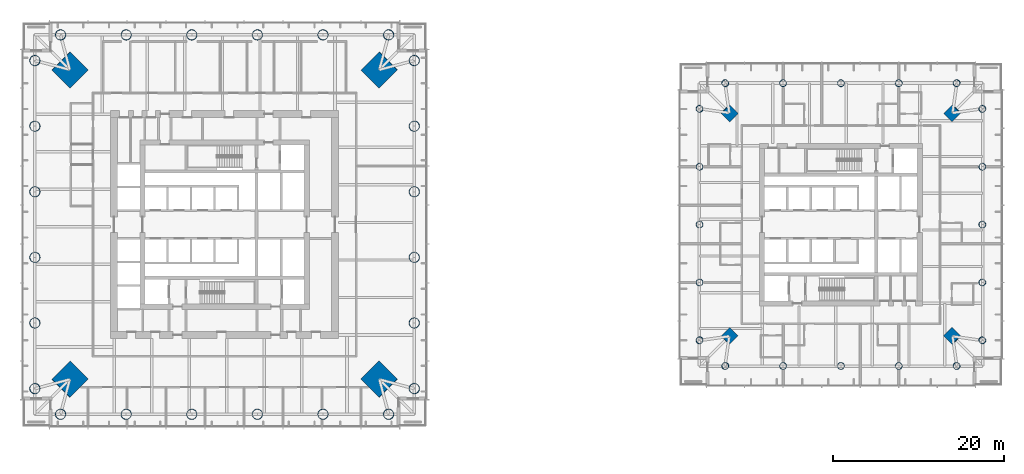
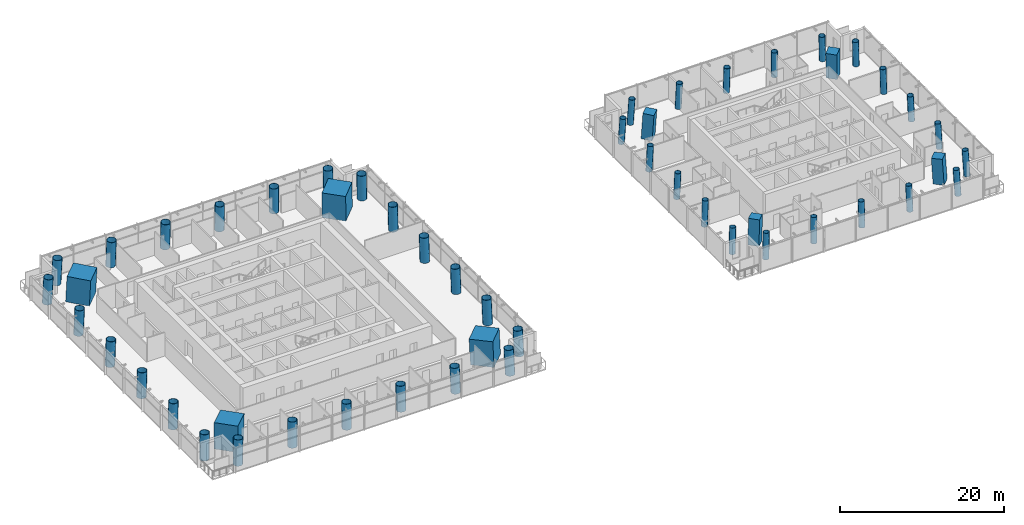
# One storey, part 1 of 24: 52 columns.
"""IFC4 building model written with IfcOpenShell, lengths in metres."""

from ifc_helpers import new_model, si_unit, direction, frame, origin, origin_2d, place, context, subcontext, project, spatial, rectangle, hollow_circle, extrude, material, material_profile, profile_set, type_object, element, save


model = new_model("IFC4")

# Units and contexts
model_context = context("Model", 3, precision=1e-05, world=origin(), true_north=direction((0.0, 1.0)))
body_context = subcontext(model_context, "Body", "Model", "MODEL_VIEW")
ifc_project = project(units=[si_unit("LENGTHUNIT", "METRE"), si_unit("AREAUNIT", "SQUARE_METRE"), si_unit("VOLUMEUNIT", "CUBIC_METRE"), si_unit("PLANEANGLEUNIT", "RADIAN"), si_unit("MASSUNIT", "GRAM", prefix="KILO")], contexts=[model_context])

# Site, building, storey
site_placement = place(None, origin())
site = spatial("IfcSite", under=ifc_project, at=site_placement, CompositionType="ELEMENT")
building_placement = place(site_placement, origin())
building = spatial("IfcBuilding", under=site, at=building_placement, Name="Ostroluk Exchange", CompositionType="ELEMENT")
storey_placement = place(building_placement, frame((0.0, 0.0, 78.0)))
storey = spatial("IfcBuildingStorey", under=building, at=storey_placement, Name="L19", CompositionType="ELEMENT", Elevation=78.0)

# Columns
ifc_material_1 = material(Name="Concrete C50/60", Category="concrete")
ifc_material_profile_1 = material_profile(ifc_material_1, rectangle(XDim=1.39990234375, YDim=1.39990234375, at=origin_2d()), Name="RC 1400x1400")
ifc_profile_set_1 = profile_set([ifc_material_profile_1], Name="Concrete C50/60")
column_type_1 = type_object("IfcColumnType", Name="Mega column RC 1400x1400", PredefinedType="COLUMN", material=ifc_profile_set_1)
for number, where, z_axis, x_axis, name in (
    (1, (130.043212890625, 59.043212890625, 0.0), (-0.043029647111, -0.043029647111, 0.998146732169), (0.707106781187, -0.707106781187, 0.0), "T2 mega column NE"),
    (2, (103.956787109375, 59.043212890625, 0.0), (0.043029647111, -0.043029647111, 0.998146732169), (0.707106781187, 0.707106781187, 0.0), "T2 mega column NW"),
    (3, (103.956787109375, 32.956787109375, 0.0), (0.043029647111, 0.043029647111, 0.998146732169), (-0.707106781187, 0.707106781187, 0.0), "T2 mega column SW"),
    (4, (130.043212890625, 32.956787109375, 0.0), (-0.043029647111, 0.043029647111, 0.998146732169), (-0.707106781187, -0.707106781187, 0.0), "T2 mega column SE"),
):
    element("IfcColumn", number, at=place(storey_placement, frame(where, z_axis=z_axis, x_axis=x_axis)), inside=storey, type_object=column_type_1, Name=name, PredefinedType="COLUMN", context=body_context, shape_type="SweptSolid", body=[
        extrude(rectangle(XDim=1.39990234375, YDim=1.39990234375, at=origin_2d()), origin(), (0.0, 0.0, 1.0), 3.80712890625),
    ])
ifc_material_2 = material(Name="Concrete C50/60", Category="concrete")
ifc_material_profile_2 = material_profile(ifc_material_2, rectangle(XDim=3.0, YDim=3.0, at=origin_2d()), Name="RC 3000x3000")
ifc_profile_set_2 = profile_set([ifc_material_profile_2], Name="Concrete C50/60")
column_type_2 = type_object("IfcColumnType", Name="Mega column RC 3000x3000", PredefinedType="COLUMN", material=ifc_profile_set_2)
for number, where, z_axis, x_axis, name in (
    (5, (63.07861328125, 64.07861328125, 0.0), (-0.031962158256, -0.031962158256, 0.998977898093), (0.707106781187, -0.707106781187, 0.0), "T1 mega column NE"),
    (6, (26.92138671875, 64.07861328125, 0.0), (0.031962158256, -0.031962158256, 0.998977898093), (0.707106781187, 0.707106781187, 0.0), "T1 mega column NW"),
    (7, (26.92138671875, 27.92138671875, 0.0), (0.031962158256, 0.031962158256, 0.998977898093), (-0.707106781187, 0.707106781187, 0.0), "T1 mega column SW"),
    (8, (63.07861328125, 27.92138671875, 0.0), (-0.031962158256, 0.031962158256, 0.998977898093), (-0.707106781187, -0.707106781187, 0.0), "T1 mega column SE"),
):
    element("IfcColumn", number, at=place(storey_placement, frame(where, z_axis=z_axis, x_axis=x_axis)), inside=storey, type_object=column_type_2, Name=name, PredefinedType="COLUMN", context=body_context, shape_type="SweptSolid", body=[
        extrude(rectangle(XDim=3.0, YDim=3.0, at=origin_2d()), origin(), (0.0, 0.0, 1.0), 3.803955078125),
    ])
ifc_material_3 = material(Name="Steel S460", Category="steel")
ifc_material_profile_3 = material_profile(ifc_material_3, hollow_circle(Radius=0.609619140625, WallThickness=0.0400390625, at=origin_2d()), Name="CHS 1219x40")
ifc_profile_set_3 = profile_set([ifc_material_profile_3], Name="Steel S460")
column_type_3 = type_object("IfcColumnType", Name="Perimeter column CHS 1219x40", PredefinedType="COLUMN", material=ifc_profile_set_3)
for number, where, z_axis, x_axis, name in (
    (9, (67.178466796875, 26.821533203125, 0.0), (-0.031898107953, 0.031898107953, 0.998981992539), (-0.707106781187, -0.707106781187, 0.0), "T1 east face column E0"),
    (10, (67.178466796875, 65.178466796875, 0.0), (-0.031898107953, -0.031898107953, 0.998981992539), (0.707106781187, -0.707106781187, 0.0), "T1 east face column E1"),
):
    element("IfcColumn", number, at=place(storey_placement, frame(where, z_axis=z_axis, x_axis=x_axis)), inside=storey, type_object=column_type_3, Name=name, PredefinedType="COLUMN", context=body_context, shape_type="SweptSolid", body=[
        extrude(hollow_circle(Radius=0.609619140625, WallThickness=0.0400390625, at=origin_2d()), origin(), (0.0, 0.0, 1.0), 3.803955078125),
    ])
column_1_placement = place(storey_placement, frame((67.178466796875, 34.492919921875, 0.0), z_axis=(-0.031908506785, 0.019132263625, 0.999307662176), x_axis=(-0.514241961696, -0.857645150882, 0.0)))
element("IfcColumn", 11, at=column_1_placement, inside=storey, type_object=column_type_3, Name="T1 east face column I1", PredefinedType="COLUMN", context=body_context, shape_type="SweptSolid", body=[
    extrude(hollow_circle(Radius=0.609619140625, WallThickness=0.0400390625, at=origin_2d()), origin(), (0.0, 0.0, 1.0), 3.802734375),
])
for number, where, z_axis, x_axis, name in (
    (12, (67.178466796875, 42.164306640625, 0.0), (-0.031913703469, 0.006357055621, 0.999470411455), (-0.195357113251, -0.980732174603, 0.0), "T1 east face column I2"),
    (13, (67.178466796875, 49.835693359375, 0.0), (-0.031913703469, -0.006357055621, 0.999470411455), (0.195357113251, -0.980732174603, 0.0), "T1 east face column I3"),
):
    element("IfcColumn", number, at=place(storey_placement, frame(where, z_axis=z_axis, x_axis=x_axis)), inside=storey, type_object=column_type_3, Name=name, PredefinedType="COLUMN", context=body_context, shape_type="SweptSolid", body=[
        extrude(hollow_circle(Radius=0.609619140625, WallThickness=0.0400390625, at=origin_2d()), origin(), (0.0, 0.0, 1.0), 3.802001953125),
    ])
column_2_placement = place(storey_placement, frame((67.178466796875, 57.507080078125, 0.0), z_axis=(-0.031908506785, -0.019132263625, 0.999307662176), x_axis=(0.514241961696, -0.857645150882, 0.0)))
element("IfcColumn", 14, at=column_2_placement, inside=storey, type_object=column_type_3, Name="T1 east face column I4", PredefinedType="COLUMN", context=body_context, shape_type="SweptSolid", body=[
    extrude(hollow_circle(Radius=0.609619140625, WallThickness=0.0400390625, at=origin_2d()), origin(), (0.0, 0.0, 1.0), 3.802734375),
])
for number, where, z_axis, x_axis, name in (
    (15, (64.178466796875, 68.178466796875, 0.0), (-0.031898107953, -0.031898107953, 0.998981992539), (0.707106781187, -0.707106781187, 0.0), "T1 north face column E0"),
    (16, (25.821533203125, 68.178466796875, 0.0), (0.031898107953, -0.031898107953, 0.998981992539), (0.707106781187, 0.707106781187, 0.0), "T1 north face column E1"),
):
    element("IfcColumn", number, at=place(storey_placement, frame(where, z_axis=z_axis, x_axis=x_axis)), inside=storey, type_object=column_type_3, Name=name, PredefinedType="COLUMN", context=body_context, shape_type="SweptSolid", body=[
        extrude(hollow_circle(Radius=0.609619140625, WallThickness=0.0400390625, at=origin_2d()), origin(), (0.0, 0.0, 1.0), 3.803955078125),
    ])
column_3_placement = place(storey_placement, frame((56.507080078125, 68.178466796875, 0.0), z_axis=(-0.019132263625, -0.031908506785, 0.999307662176), x_axis=(0.857645150882, -0.514241961696, 0.0)))
element("IfcColumn", 17, at=column_3_placement, inside=storey, type_object=column_type_3, Name="T1 north face column I1", PredefinedType="COLUMN", context=body_context, shape_type="SweptSolid", body=[
    extrude(hollow_circle(Radius=0.609619140625, WallThickness=0.0400390625, at=origin_2d()), origin(), (0.0, 0.0, 1.0), 3.802734375),
])
for number, where, z_axis, x_axis, name in (
    (18, (48.835693359375, 68.178466796875, 0.0), (-0.006357055621, -0.031913703469, 0.999470411455), (0.980732174603, -0.195357113251, 0.0), "T1 north face column I2"),
    (19, (41.164306640625, 68.178466796875, 0.0), (0.006357055621, -0.031913703469, 0.999470411455), (0.980732174603, 0.195357113251, 0.0), "T1 north face column I3"),
):
    element("IfcColumn", number, at=place(storey_placement, frame(where, z_axis=z_axis, x_axis=x_axis)), inside=storey, type_object=column_type_3, Name=name, PredefinedType="COLUMN", context=body_context, shape_type="SweptSolid", body=[
        extrude(hollow_circle(Radius=0.609619140625, WallThickness=0.0400390625, at=origin_2d()), origin(), (0.0, 0.0, 1.0), 3.802001953125),
    ])
column_4_placement = place(storey_placement, frame((33.492919921875, 68.178466796875, 0.0), z_axis=(0.019132263625, -0.031908506785, 0.999307662176), x_axis=(0.857645150882, 0.514241961696, 0.0)))
element("IfcColumn", 20, at=column_4_placement, inside=storey, type_object=column_type_3, Name="T1 north face column I4", PredefinedType="COLUMN", context=body_context, shape_type="SweptSolid", body=[
    extrude(hollow_circle(Radius=0.609619140625, WallThickness=0.0400390625, at=origin_2d()), origin(), (0.0, 0.0, 1.0), 3.802734375),
])
for number, where, z_axis, x_axis, name in (
    (21, (22.821533203125, 65.178466796875, 0.0), (0.031898107953, -0.031898107953, 0.998981992539), (0.707106781187, 0.707106781187, 0.0), "T1 west face column E0"),
    (22, (22.821533203125, 26.821533203125, 0.0), (0.031898107953, 0.031898107953, 0.998981992539), (-0.707106781187, 0.707106781187, 0.0), "T1 west face column E1"),
):
    element("IfcColumn", number, at=place(storey_placement, frame(where, z_axis=z_axis, x_axis=x_axis)), inside=storey, type_object=column_type_3, Name=name, PredefinedType="COLUMN", context=body_context, shape_type="SweptSolid", body=[
        extrude(hollow_circle(Radius=0.609619140625, WallThickness=0.0400390625, at=origin_2d()), origin(), (0.0, 0.0, 1.0), 3.803955078125),
    ])
column_5_placement = place(storey_placement, frame((22.821533203125, 57.507080078125, 0.0), z_axis=(0.031908506785, -0.019132263625, 0.999307662176), x_axis=(0.514241961696, 0.857645150882, 0.0)))
element("IfcColumn", 23, at=column_5_placement, inside=storey, type_object=column_type_3, Name="T1 west face column I1", PredefinedType="COLUMN", context=body_context, shape_type="SweptSolid", body=[
    extrude(hollow_circle(Radius=0.609619140625, WallThickness=0.0400390625, at=origin_2d()), origin(), (0.0, 0.0, 1.0), 3.802734375),
])
for number, where, z_axis, x_axis, name in (
    (24, (22.821533203125, 49.835693359375, 0.0), (0.031913703469, -0.006357055621, 0.999470411455), (0.195357113251, 0.980732174603, 0.0), "T1 west face column I2"),
    (25, (22.821533203125, 42.164306640625, 0.0), (0.031913703469, 0.006357055621, 0.999470411455), (-0.195357113251, 0.980732174603, 0.0), "T1 west face column I3"),
):
    element("IfcColumn", number, at=place(storey_placement, frame(where, z_axis=z_axis, x_axis=x_axis)), inside=storey, type_object=column_type_3, Name=name, PredefinedType="COLUMN", context=body_context, shape_type="SweptSolid", body=[
        extrude(hollow_circle(Radius=0.609619140625, WallThickness=0.0400390625, at=origin_2d()), origin(), (0.0, 0.0, 1.0), 3.802001953125),
    ])
column_6_placement = place(storey_placement, frame((22.821533203125, 34.492919921875, 0.0), z_axis=(0.031908506785, 0.019132263625, 0.999307662176), x_axis=(-0.514241961696, 0.857645150882, 0.0)))
element("IfcColumn", 26, at=column_6_placement, inside=storey, type_object=column_type_3, Name="T1 west face column I4", PredefinedType="COLUMN", context=body_context, shape_type="SweptSolid", body=[
    extrude(hollow_circle(Radius=0.609619140625, WallThickness=0.0400390625, at=origin_2d()), origin(), (0.0, 0.0, 1.0), 3.802734375),
])
for number, where, z_axis, x_axis, name in (
    (27, (25.821533203125, 23.821533203125, 0.0), (0.031898107953, 0.031898107953, 0.998981992539), (-0.707106781187, 0.707106781187, 0.0), "T1 south face column E0"),
    (28, (64.178466796875, 23.821533203125, 0.0), (-0.031898107953, 0.031898107953, 0.998981992539), (-0.707106781187, -0.707106781187, 0.0), "T1 south face column E1"),
):
    element("IfcColumn", number, at=place(storey_placement, frame(where, z_axis=z_axis, x_axis=x_axis)), inside=storey, type_object=column_type_3, Name=name, PredefinedType="COLUMN", context=body_context, shape_type="SweptSolid", body=[
        extrude(hollow_circle(Radius=0.609619140625, WallThickness=0.0400390625, at=origin_2d()), origin(), (0.0, 0.0, 1.0), 3.803955078125),
    ])
column_7_placement = place(storey_placement, frame((33.492919921875, 23.821533203125, 0.0), z_axis=(0.019132263625, 0.031908506785, 0.999307662176), x_axis=(-0.857645150882, 0.514241961696, 0.0)))
element("IfcColumn", 29, at=column_7_placement, inside=storey, type_object=column_type_3, Name="T1 south face column I1", PredefinedType="COLUMN", context=body_context, shape_type="SweptSolid", body=[
    extrude(hollow_circle(Radius=0.609619140625, WallThickness=0.0400390625, at=origin_2d()), origin(), (0.0, 0.0, 1.0), 3.802734375),
])
for number, where, z_axis, x_axis, name in (
    (30, (41.164306640625, 23.821533203125, 0.0), (0.006357055621, 0.031913703469, 0.999470411455), (-0.980732174603, 0.195357113251, 0.0), "T1 south face column I2"),
    (31, (48.835693359375, 23.821533203125, 0.0), (-0.006357055621, 0.031913703469, 0.999470411455), (-0.980732174603, -0.195357113251, 0.0), "T1 south face column I3"),
):
    element("IfcColumn", number, at=place(storey_placement, frame(where, z_axis=z_axis, x_axis=x_axis)), inside=storey, type_object=column_type_3, Name=name, PredefinedType="COLUMN", context=body_context, shape_type="SweptSolid", body=[
        extrude(hollow_circle(Radius=0.609619140625, WallThickness=0.0400390625, at=origin_2d()), origin(), (0.0, 0.0, 1.0), 3.802001953125),
    ])
column_8_placement = place(storey_placement, frame((56.507080078125, 23.821533203125, 0.0), z_axis=(-0.019132263625, 0.031908506785, 0.999307662176), x_axis=(-0.857645150882, -0.514241961696, 0.0)))
element("IfcColumn", 32, at=column_8_placement, inside=storey, type_object=column_type_3, Name="T1 south face column I4", PredefinedType="COLUMN", context=body_context, shape_type="SweptSolid", body=[
    extrude(hollow_circle(Radius=0.609619140625, WallThickness=0.0400390625, at=origin_2d()), origin(), (0.0, 0.0, 1.0), 3.802734375),
])
ifc_material_4 = material(Name="Steel S460", Category="steel")
ifc_material_profile_4 = material_profile(ifc_material_4, hollow_circle(Radius=0.406494140625, WallThickness=0.030029296875, at=origin_2d()), Name="CHS 813x30")
ifc_profile_set_4 = profile_set([ifc_material_profile_4], Name="Steel S460")
column_type_4 = type_object("IfcColumnType", Name="Perimeter column CHS 813x30", PredefinedType="COLUMN", material=ifc_profile_set_4)
for number, where, z_axis, x_axis, name in (
    (33, (133.543212890625, 32.456787109375, 0.0), (-0.043029647111, 0.043029647111, 0.998146732169), (-0.707106781187, -0.707106781187, 0.0), "T2 east face column E0"),
    (34, (133.543212890625, 59.543212890625, 0.0), (-0.043029647111, -0.043029647111, 0.998146732169), (0.707106781187, -0.707106781187, 0.0), "T2 east face column E1"),
):
    element("IfcColumn", number, at=place(storey_placement, frame(where, z_axis=z_axis, x_axis=x_axis)), inside=storey, type_object=column_type_4, Name=name, PredefinedType="COLUMN", context=body_context, shape_type="SweptSolid", body=[
        extrude(hollow_circle(Radius=0.406494140625, WallThickness=0.030029296875, at=origin_2d()), origin(), (0.0, 0.0, 1.0), 3.80712890625),
    ])
column_9_placement = place(storey_placement, frame((133.543212890625, 39.228515625, 0.0), z_axis=(-0.043059584825, 0.021497706284, 0.998841188968), x_axis=(-0.446680166538, -0.894693706707, 0.0)))
element("IfcColumn", 35, at=column_9_placement, inside=storey, type_object=column_type_4, Name="T2 east face column I1", PredefinedType="COLUMN", context=body_context, shape_type="SweptSolid", body=[
    extrude(hollow_circle(Radius=0.406494140625, WallThickness=0.030029296875, at=origin_2d()), origin(), (0.0, 0.0, 1.0), 3.804443359375),
])
column_10_placement = place(storey_placement, frame((133.543212890625, 46.0, 0.0), z_axis=(-0.043069538298, 0.0, 0.999072076915), x_axis=(0.0, -1.0, 0.0)))
element("IfcColumn", 36, at=column_10_placement, inside=storey, type_object=column_type_4, Name="T2 east face column I2", PredefinedType="COLUMN", context=body_context, shape_type="SweptSolid", body=[
    extrude(hollow_circle(Radius=0.406494140625, WallThickness=0.030029296875, at=origin_2d()), origin(), (0.0, 0.0, 1.0), 3.803466796875),
])
column_11_placement = place(storey_placement, frame((133.543212890625, 52.771484375, 0.0), z_axis=(-0.043059584825, -0.021497706284, 0.998841188968), x_axis=(0.446680166538, -0.894693706707, 0.0)))
element("IfcColumn", 37, at=column_11_placement, inside=storey, type_object=column_type_4, Name="T2 east face column I3", PredefinedType="COLUMN", context=body_context, shape_type="SweptSolid", body=[
    extrude(hollow_circle(Radius=0.406494140625, WallThickness=0.030029296875, at=origin_2d()), origin(), (0.0, 0.0, 1.0), 3.804443359375),
])
for number, where, z_axis, x_axis, name in (
    (38, (130.543212890625, 62.543212890625, 0.0), (-0.043029647111, -0.043029647111, 0.998146732169), (0.707106781187, -0.707106781187, 0.0), "T2 north face column E0"),
    (39, (103.456787109375, 62.543212890625, 0.0), (0.043029647111, -0.043029647111, 0.998146732169), (0.707106781187, 0.707106781187, 0.0), "T2 north face column E1"),
):
    element("IfcColumn", number, at=place(storey_placement, frame(where, z_axis=z_axis, x_axis=x_axis)), inside=storey, type_object=column_type_4, Name=name, PredefinedType="COLUMN", context=body_context, shape_type="SweptSolid", body=[
        extrude(hollow_circle(Radius=0.406494140625, WallThickness=0.030029296875, at=origin_2d()), origin(), (0.0, 0.0, 1.0), 3.80712890625),
    ])
column_12_placement = place(storey_placement, frame((123.771484375, 62.543212890625, 0.0), z_axis=(-0.021497706284, -0.043059584825, 0.998841188968), x_axis=(0.894693706707, -0.446680166538, 0.0)))
element("IfcColumn", 40, at=column_12_placement, inside=storey, type_object=column_type_4, Name="T2 north face column I1", PredefinedType="COLUMN", context=body_context, shape_type="SweptSolid", body=[
    extrude(hollow_circle(Radius=0.406494140625, WallThickness=0.030029296875, at=origin_2d()), origin(), (0.0, 0.0, 1.0), 3.804443359375),
])
column_13_placement = place(storey_placement, frame((117.0, 62.543212890625, 0.0), z_axis=(0.0, -0.043069538298, 0.999072076915), x_axis=(1.0, 0.0, 0.0)))
element("IfcColumn", 41, at=column_13_placement, inside=storey, type_object=column_type_4, Name="T2 north face column I2", PredefinedType="COLUMN", context=body_context, shape_type="SweptSolid", body=[
    extrude(hollow_circle(Radius=0.406494140625, WallThickness=0.030029296875, at=origin_2d()), origin(), (0.0, 0.0, 1.0), 3.803466796875),
])
column_14_placement = place(storey_placement, frame((110.228515625, 62.543212890625, 0.0), z_axis=(0.021497706284, -0.043059584825, 0.998841188968), x_axis=(0.894693706707, 0.446680166538, 0.0)))
element("IfcColumn", 42, at=column_14_placement, inside=storey, type_object=column_type_4, Name="T2 north face column I3", PredefinedType="COLUMN", context=body_context, shape_type="SweptSolid", body=[
    extrude(hollow_circle(Radius=0.406494140625, WallThickness=0.030029296875, at=origin_2d()), origin(), (0.0, 0.0, 1.0), 3.804443359375),
])
for number, where, z_axis, x_axis, name in (
    (43, (100.456787109375, 59.543212890625, 0.0), (0.043029647111, -0.043029647111, 0.998146732169), (0.707106781187, 0.707106781187, 0.0), "T2 west face column E0"),
    (44, (100.456787109375, 32.456787109375, 0.0), (0.043029647111, 0.043029647111, 0.998146732169), (-0.707106781187, 0.707106781187, 0.0), "T2 west face column E1"),
):
    element("IfcColumn", number, at=place(storey_placement, frame(where, z_axis=z_axis, x_axis=x_axis)), inside=storey, type_object=column_type_4, Name=name, PredefinedType="COLUMN", context=body_context, shape_type="SweptSolid", body=[
        extrude(hollow_circle(Radius=0.406494140625, WallThickness=0.030029296875, at=origin_2d()), origin(), (0.0, 0.0, 1.0), 3.80712890625),
    ])
column_15_placement = place(storey_placement, frame((100.456787109375, 52.771484375, 0.0), z_axis=(0.043059584825, -0.021497706284, 0.998841188968), x_axis=(0.446680166538, 0.894693706707, 0.0)))
element("IfcColumn", 45, at=column_15_placement, inside=storey, type_object=column_type_4, Name="T2 west face column I1", PredefinedType="COLUMN", context=body_context, shape_type="SweptSolid", body=[
    extrude(hollow_circle(Radius=0.406494140625, WallThickness=0.030029296875, at=origin_2d()), origin(), (0.0, 0.0, 1.0), 3.804443359375),
])
column_16_placement = place(storey_placement, frame((100.456787109375, 46.0, 0.0), z_axis=(0.043069538298, 0.0, 0.999072076915), x_axis=(0.0, 1.0, 0.0)))
element("IfcColumn", 46, at=column_16_placement, inside=storey, type_object=column_type_4, Name="T2 west face column I2", PredefinedType="COLUMN", context=body_context, shape_type="SweptSolid", body=[
    extrude(hollow_circle(Radius=0.406494140625, WallThickness=0.030029296875, at=origin_2d()), origin(), (0.0, 0.0, 1.0), 3.803466796875),
])
column_17_placement = place(storey_placement, frame((100.456787109375, 39.228515625, 0.0), z_axis=(0.043059584825, 0.021497706284, 0.998841188968), x_axis=(-0.446680166538, 0.894693706707, 0.0)))
element("IfcColumn", 47, at=column_17_placement, inside=storey, type_object=column_type_4, Name="T2 west face column I3", PredefinedType="COLUMN", context=body_context, shape_type="SweptSolid", body=[
    extrude(hollow_circle(Radius=0.406494140625, WallThickness=0.030029296875, at=origin_2d()), origin(), (0.0, 0.0, 1.0), 3.804443359375),
])
for number, where, z_axis, x_axis, name in (
    (48, (103.456787109375, 29.456787109375, 0.0), (0.043029647111, 0.043029647111, 0.998146732169), (-0.707106781187, 0.707106781187, 0.0), "T2 south face column E0"),
    (49, (130.543212890625, 29.456787109375, 0.0), (-0.043029647111, 0.043029647111, 0.998146732169), (-0.707106781187, -0.707106781187, 0.0), "T2 south face column E1"),
):
    element("IfcColumn", number, at=place(storey_placement, frame(where, z_axis=z_axis, x_axis=x_axis)), inside=storey, type_object=column_type_4, Name=name, PredefinedType="COLUMN", context=body_context, shape_type="SweptSolid", body=[
        extrude(hollow_circle(Radius=0.406494140625, WallThickness=0.030029296875, at=origin_2d()), origin(), (0.0, 0.0, 1.0), 3.80712890625),
    ])
column_18_placement = place(storey_placement, frame((110.228515625, 29.456787109375, 0.0), z_axis=(0.021497706284, 0.043059584825, 0.998841188968), x_axis=(-0.894693706707, 0.446680166538, 0.0)))
element("IfcColumn", 50, at=column_18_placement, inside=storey, type_object=column_type_4, Name="T2 south face column I1", PredefinedType="COLUMN", context=body_context, shape_type="SweptSolid", body=[
    extrude(hollow_circle(Radius=0.406494140625, WallThickness=0.030029296875, at=origin_2d()), origin(), (0.0, 0.0, 1.0), 3.804443359375),
])
column_19_placement = place(storey_placement, frame((117.0, 29.456787109375, 0.0), z_axis=(0.0, 0.043069538298, 0.999072076915), x_axis=(-1.0, 0.0, 0.0)))
element("IfcColumn", 51, at=column_19_placement, inside=storey, type_object=column_type_4, Name="T2 south face column I2", PredefinedType="COLUMN", context=body_context, shape_type="SweptSolid", body=[
    extrude(hollow_circle(Radius=0.406494140625, WallThickness=0.030029296875, at=origin_2d()), origin(), (0.0, 0.0, 1.0), 3.803466796875),
])
column_20_placement = place(storey_placement, frame((123.771484375, 29.456787109375, 0.0), z_axis=(-0.021497706284, 0.043059584825, 0.998841188968), x_axis=(-0.894693706707, -0.446680166538, 0.0)))
element("IfcColumn", 52, at=column_20_placement, inside=storey, type_object=column_type_4, Name="T2 south face column I3", PredefinedType="COLUMN", context=body_context, shape_type="SweptSolid", body=[
    extrude(hollow_circle(Radius=0.406494140625, WallThickness=0.030029296875, at=origin_2d()), origin(), (0.0, 0.0, 1.0), 3.804443359375),
])

save(model, "model.ifc")
